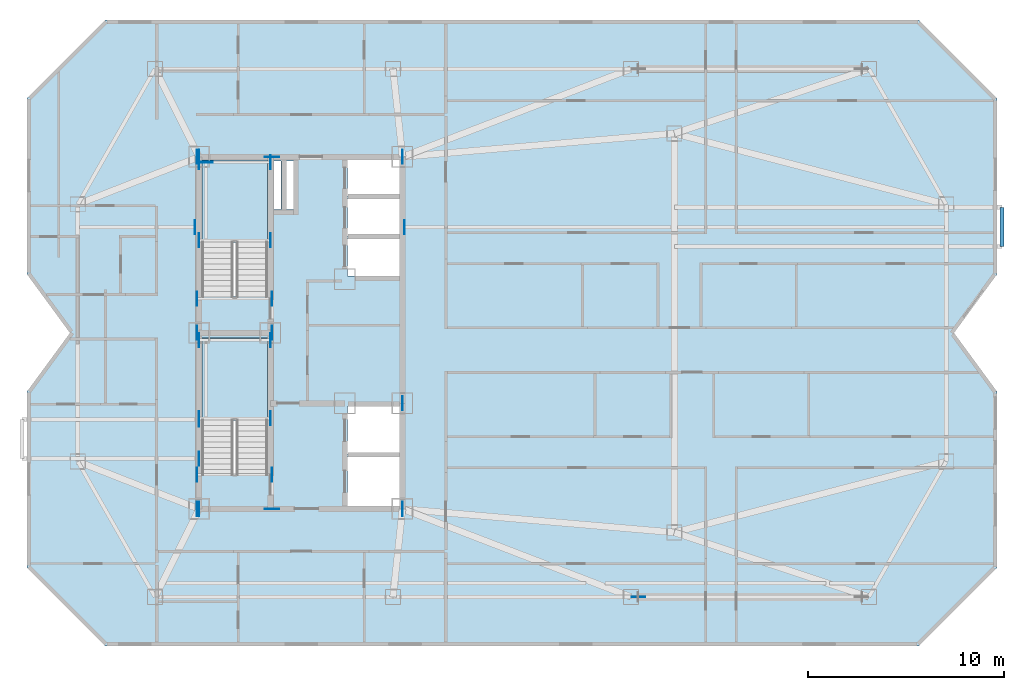
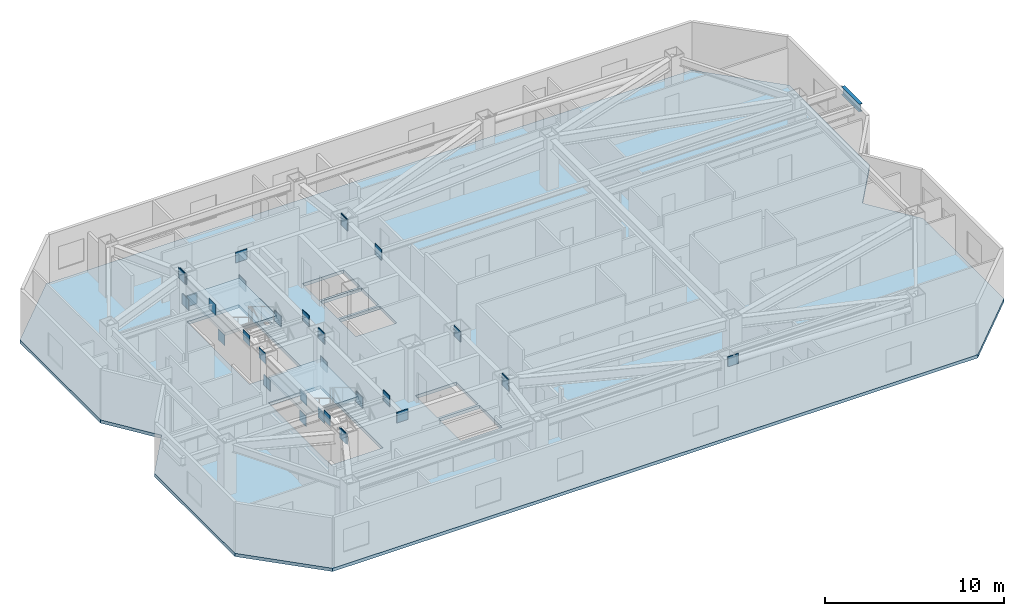
# One storey, part 2 of 9: 31 plates, 3 slabs, 1 beam, 2 elements without a shape of their own.
"""IFC4 building model written with IfcOpenShell, lengths in metres."""

from ifc_helpers import new_model, si_unit, direction, frame, origin, origin_2d, place, context, subcontext, project, spatial, polyline, rectangle, i_section, outline, extrude, material, layer, layer_set, material_profile, profile_set, type_object, element, aggregate, save


model = new_model("IFC4")

# Units and contexts
model_context = context("Model", 3, precision=1e-05, world=origin(), true_north=direction((0.0, 1.0)))
body_context = subcontext(model_context, "Body", "Model", "MODEL_VIEW")
ifc_project = project(units=[si_unit("LENGTHUNIT", "METRE"), si_unit("AREAUNIT", "SQUARE_METRE"), si_unit("VOLUMEUNIT", "CUBIC_METRE"), si_unit("PLANEANGLEUNIT", "RADIAN"), si_unit("MASSUNIT", "GRAM", prefix="KILO")], contexts=[model_context])

# Site, building, storey
site_placement = place(None, origin())
site = spatial("IfcSite", under=ifc_project, at=site_placement, CompositionType="ELEMENT")
building_placement = place(site_placement, origin())
building = spatial("IfcBuilding", under=site, at=building_placement, Name="Khamvora Tower", CompositionType="ELEMENT")
storey_placement = place(building_placement, frame((0.0, 0.0, 224.5)))
storey = spatial("IfcBuildingStorey", under=building, at=storey_placement, Name="L57", CompositionType="ELEMENT", Elevation=224.5)

# Beam
ifc_material_1 = material(Name="Steel S355", Category="steel")
ifc_material_profile = material_profile(ifc_material_1, i_section(OverallWidth=0.208984375, OverallDepth=0.532958984375, WebThickness=0.010009765625, FlangeThickness=0.01611328125, FilletRadius=0.013916015625, at=origin_2d()), Name="W530x92")
ifc_profile_set = profile_set([ifc_material_profile], Name="Steel S355")
beam_type = type_object("IfcBeamType", Name="BM-SP-W530x92", PredefinedType="SPANDREL", material=ifc_profile_set)
beam_placement = place(storey_placement, frame((70.050048828125, 32.425048828125, 2.962890625), z_axis=(0.0, 1.0, 0.0), x_axis=(-1.0, 0.0, 0.0)))
element("IfcBeam", 1, at=beam_placement, inside=storey, type_object=beam_type, Name="L57 external gallery edge header beam L58-EL2", PredefinedType="SPANDREL", context=body_context, shape_type="SweptSolid", body=[
    extrude(i_section(OverallWidth=0.208984375, OverallDepth=0.532958984375, WebThickness=0.010009765625, FlangeThickness=0.01611328125, FilletRadius=0.013916015625, at=origin_2d()), origin(), (0.0, 0.0, 1.0), 2.0),
])

# Plates
ifc_material_2 = material(Name="Steel S460", Category="steel")
ifc_layer_1 = layer(ifc_material_2, 0.034912109375)
ifc_layer_set_1 = layer_set([ifc_layer_1], Name="Steel S460")
plate_type_1 = type_object("IfcPlateType", Name="PL-EMB-35", PredefinedType="SHEET", material=ifc_layer_set_1)
for number, where, z_axis, x_axis, name in (
    (2, (29.0, 23.635009765625, 1.1337890625), (0.0, 0.0, 1.0), (1.0, 0.0, 0.0), "L57 core shear wall cast-in embed plate 1658"),
    (3, (32.64990234375, 23.635009765625, 1.1337890625), (0.0, 0.0, 1.0), (1.0, 0.0, 0.0), "L57 core shear wall cast-in embed plate 1659"),
    (4, (29.0, 27.6298828125, 1.1337890625), (0.0, 0.0, 1.0), (1.0, 0.0, 0.0), "L57 core shear wall cast-in embed plate 1660"),
    (5, (32.64990234375, 27.6298828125, 1.1337890625), (0.0, 0.0, 1.0), (1.0, 0.0, 0.0), "L57 core shear wall cast-in embed plate 1661"),
    (6, (29.0, 32.735107421875, 1.1337890625), (0.0, 0.0, 1.0), (1.0, 0.0, 0.0), "L57 core shear wall cast-in embed plate 1662"),
    (7, (32.64990234375, 32.735107421875, 1.1337890625), (0.0, 0.0, 1.0), (1.0, 0.0, 0.0), "L57 core shear wall cast-in embed plate 1663"),
    (8, (29.0, 36.72998046875, 1.1337890625), (0.0, 0.0, 1.0), (1.0, 0.0, 0.0), "L57 core shear wall cast-in embed plate 1664"),
    (9, (32.64990234375, 36.72998046875, 1.1337890625), (0.0, 0.0, 1.0), (1.0, 0.0, 0.0), "L57 core shear wall cast-in embed plate 1665"),
):
    element("IfcPlate", number, at=place(storey_placement, frame(where, z_axis=z_axis, x_axis=x_axis)), inside=storey, type_object=plate_type_1, Name=name, PredefinedType="SHEET", context=body_context, shape_type="SweptSolid", body=[
        extrude(rectangle(XDim=0.034912109375, YDim=0.719970703125, at=origin_2d()), origin(), (0.0, 0.0, 1.0), 0.719970703125),
    ])
plate_1_placement = place(storey_placement, frame((29.35009765625, 36.72998046875, 1.1337890625), z_axis=(0.0, 0.0, 1.0), x_axis=(1.0, 0.0, 0.0)))
element("IfcPlate", 10, at=plate_1_placement, inside=storey, type_object=plate_type_1, Name="L57 core shear wall cast-in embed plate 1666", PredefinedType="SHEET", context=body_context, shape_type="SweptSolid", body=[
    extrude(rectangle(XDim=0.719970703125, YDim=0.034912109375, at=origin_2d()), origin(), (0.0, 0.0, 1.0), 0.719970703125),
])
for number, where, z_axis, x_axis, name in (
    (11, (29.0, 19.0, 2.72314453125), (0.0, 0.0, 1.0), (1.0, 0.0, 0.0), "L57 core shear wall cast-in embed plate 1667"),
    (12, (39.39990234375, 19.0, 2.72314453125), (0.0, 0.0, 1.0), (1.0, 0.0, 0.0), "L57 core shear wall cast-in embed plate 1668"),
    (13, (29.0, 37.0, 2.72314453125), (0.0, 0.0, 1.0), (1.0, 0.0, 0.0), "L57 core shear wall cast-in embed plate 1669"),
    (14, (39.39990234375, 37.0, 2.72314453125), (0.0, 0.0, 1.0), (1.0, 0.0, 0.0), "L57 core shear wall cast-in embed plate 1670"),
    (15, (28.89990234375, 19.0, 2.80322265625), (0.0, 0.0, 1.0), (1.0, 0.0, 0.0), "L57 core shear wall cast-in embed plate 1671"),
    (16, (28.89990234375, 28.0, 2.80322265625), (0.0, 0.0, 1.0), (1.0, 0.0, 0.0), "L57 core shear wall cast-in embed plate 1672"),
    (17, (28.89990234375, 37.0, 2.80322265625), (0.0, 0.0, 1.0), (1.0, 0.0, 0.0), "L57 core shear wall cast-in embed plate 1673"),
):
    element("IfcPlate", number, at=place(storey_placement, frame(where, z_axis=z_axis, x_axis=x_axis)), inside=storey, type_object=plate_type_1, Name=name, PredefinedType="SHEET", context=body_context, shape_type="SweptSolid", body=[
        extrude(rectangle(XDim=0.034912109375, YDim=0.719970703125, at=origin_2d()), origin(), (0.0, 0.0, 1.0), 0.719970703125),
    ])
plate_2_placement = place(storey_placement, frame((32.72998046875, 19.0, 2.80322265625), z_axis=(0.0, 0.0, 1.0), x_axis=(1.0, 0.0, 0.0)))
element("IfcPlate", 18, at=plate_2_placement, inside=storey, type_object=plate_type_1, Name="L57 core shear wall cast-in embed plate 1674", PredefinedType="SHEET", context=body_context, shape_type="SweptSolid", body=[
    extrude(rectangle(XDim=0.719970703125, YDim=0.034912109375, at=origin_2d()), origin(), (0.0, 0.0, 1.0), 0.719970703125),
])
plate_3_placement = place(storey_placement, frame((32.72998046875, 28.0, 2.80322265625), z_axis=(0.0, 0.0, 1.0), x_axis=(1.0, 0.0, 0.0)))
element("IfcPlate", 19, at=plate_3_placement, inside=storey, type_object=plate_type_1, Name="L57 core shear wall cast-in embed plate 1675", PredefinedType="SHEET", context=body_context, shape_type="SweptSolid", body=[
    extrude(rectangle(XDim=0.034912109375, YDim=0.719970703125, at=origin_2d()), origin(), (0.0, 0.0, 1.0), 0.719970703125),
])
plate_4_placement = place(storey_placement, frame((32.72998046875, 37.0, 2.80322265625), z_axis=(0.0, 0.0, 1.0), x_axis=(1.0, 0.0, 0.0)))
element("IfcPlate", 20, at=plate_4_placement, inside=storey, type_object=plate_type_1, Name="L57 core shear wall cast-in embed plate 1676", PredefinedType="SHEET", context=body_context, shape_type="SweptSolid", body=[
    extrude(rectangle(XDim=0.719970703125, YDim=0.034912109375, at=origin_2d()), origin(), (0.0, 0.0, 1.0), 0.719970703125),
])
for number, where, z_axis, x_axis, name in (
    (21, (39.39990234375, 19.0, 2.80322265625), (0.0, 0.0, 1.0), (1.0, 0.0, 0.0), "L57 core shear wall cast-in embed plate 1677"),
    (22, (39.39990234375, 24.39990234375, 2.80322265625), (0.0, 0.0, 1.0), (1.0, 0.0, 0.0), "L57 core shear wall cast-in embed plate 1678"),
    (23, (39.39990234375, 37.0, 2.80322265625), (0.0, 0.0, 1.0), (1.0, 0.0, 0.0), "L57 core shear wall cast-in embed plate 1679"),
    (24, (28.89990234375, 20.75, 2.94384765625), (0.0, 0.0, 1.0), (1.0, 0.0, 0.0), "L57 core shear wall cast-in embed plate 1680"),
    (25, (32.72998046875, 20.75, 2.94384765625), (0.0, 0.0, 1.0), (1.0, 0.0, 0.0), "L57 core shear wall cast-in embed plate 1681"),
    (26, (28.89990234375, 29.75, 2.94384765625), (0.0, 0.0, 1.0), (1.0, 0.0, 0.0), "L57 core shear wall cast-in embed plate 1682"),
    (27, (32.72998046875, 29.75, 2.94384765625), (0.0, 0.0, 1.0), (1.0, 0.0, 0.0), "L57 core shear wall cast-in embed plate 1683"),
    (28, (29.0, 21.574951171875, 2.60302734375), (0.0, 0.0, 1.0), (1.0, 0.0, 0.0), "L57 core shear wall cast-in embed plate 1684"),
    (29, (29.0, 23.574951171875, 2.60302734375), (0.0, 0.0, 1.0), (1.0, 0.0, 0.0), "L57 core shear wall cast-in embed plate 1685"),
    (30, (28.800048828125, 33.39990234375, 2.89208984375), (0.0, 0.0, 1.0), (1.0, 0.0, 0.0), "L57 core shear wall cast-in embed plate 1686"),
    (31, (39.4990234375, 33.39990234375, 2.89208984375), (0.0, 0.0, 1.0), (1.0, 0.0, 0.0), "L57 core shear wall cast-in embed plate 1687"),
):
    element("IfcPlate", number, at=place(storey_placement, frame(where, z_axis=z_axis, x_axis=x_axis)), inside=storey, type_object=plate_type_1, Name=name, PredefinedType="SHEET", context=body_context, shape_type="SweptSolid", body=[
        extrude(rectangle(XDim=0.034912109375, YDim=0.719970703125, at=origin_2d()), origin(), (0.0, 0.0, 1.0), 0.719970703125),
    ])
ifc_layer_2 = layer(ifc_material_2, 0.0400390625)
ifc_layer_set_2 = layer_set([ifc_layer_2], Name="Steel S460")
plate_type_2 = type_object("IfcPlateType", Name="PLT-GUS-40", PredefinedType="SHEET", material=ifc_layer_set_2)
plate_5_placement = place(storey_placement, frame((51.462890625, 14.5, 2.80810546875), z_axis=(0.0, 0.0, 1.0), x_axis=(1.0, 0.0, 0.0)))
element("IfcPlate", 32, at=plate_5_placement, inside=storey, type_object=plate_type_2, Name="L57 brace connection node gusset plate 0382", PredefinedType="SHEET", context=body_context, shape_type="SweptSolid", body=[
    extrude(rectangle(XDim=0.679931640625, YDim=0.0400390625, at=origin_2d()), origin(), (0.0, 0.0, 1.0), 0.679931640625),
])

# Stair, slab
ifc_material_3 = material(Name="Concrete C40/50", Category="concrete")
stair_type_1 = type_object("IfcStairType", Name="STR-ST-01", PredefinedType="HALF_TURN_STAIR", material=ifc_material_3)
stair_1_placement = place(storey_placement, origin())
stair_1 = element("IfcStair", 33, at=stair_1_placement, inside=storey, type_object=stair_type_1, Name="L57 South Tower Exit Stair ST-01", PredefinedType="HALF_TURN_STAIR")
ifc_layer_3 = layer(ifc_material_3, 0.199951171875)
ifc_layer_set_3 = layer_set([ifc_layer_3], Name="Concrete C40/50")
slab_type_1 = type_object("IfcSlabType", Name="SLB-LND-200", PredefinedType="LANDING", material=ifc_layer_set_3)
slab_1_placement = place(storey_placement, frame((0.0, 0.0, 1.625)))
slab_1 = element("IfcSlab", 34, at=slab_1_placement, type_object=slab_type_1, Name="ST-01 landing 1", PredefinedType="LANDING", context=body_context, shape_type="SweptSolid", body=[
    extrude(outline(polyline([(32.5, 23.514892578125), (32.5, 27.75), (29.14990234375, 27.75), (29.14990234375, 23.514892578125), (32.5, 23.514892578125)])), origin(), (0.0, 0.0, 1.0), 0.199951171875),
])
aggregate(stair_1, [slab_1])

stair_type_2 = type_object("IfcStairType", Name="STR-ST-02", PredefinedType="HALF_TURN_STAIR", material=ifc_material_3)
stair_2_placement = place(storey_placement, origin())
stair_2 = element("IfcStair", 35, at=stair_2_placement, inside=storey, type_object=stair_type_2, Name="L57 North Tower Exit Stair ST-02", PredefinedType="HALF_TURN_STAIR")
slab_2_placement = place(storey_placement, frame((0.0, 0.0, 1.625)))
slab_2 = element("IfcSlab", 36, at=slab_2_placement, type_object=slab_type_1, Name="ST-02 landing 1", PredefinedType="LANDING", context=body_context, shape_type="SweptSolid", body=[
    extrude(outline(polyline([(32.5, 32.614990234375), (32.5, 36.85009765625), (29.14990234375, 36.85009765625), (29.14990234375, 32.614990234375), (32.5, 32.614990234375)])), origin(), (0.0, 0.0, 1.0), 0.199951171875),
])
aggregate(stair_2, [slab_2])

# Slab
ifc_material_4 = material(Name="Concrete C35/45", Category="concrete")
ifc_layer_4 = layer(ifc_material_4, 0.219970703125)
ifc_layer_set_4 = layer_set([ifc_layer_4], Name="Concrete C35/45")
slab_type_2 = type_object("IfcSlabType", Name="SLB-TYP-220", PredefinedType="FLOOR", material=ifc_layer_set_4)
slab_3_placement = place(storey_placement, frame((0.0, 0.0, -0.219970703125)))
element("IfcSlab", 37, at=slab_3_placement, inside=storey, type_object=slab_type_2, Name="L57 structural floor slab", PredefinedType="FLOOR", context=body_context, shape_type="SweptSolid", body=[
    extrude(outline(polyline([(24.199951171875, 12.0), (65.800048828125, 12.0), (69.800048828125, 16.0), (69.800048828125, 25.0), (67.60009765625, 28.0), (69.800048828125, 31.0), (69.800048828125, 40.0), (65.800048828125, 44.0), (24.199951171875, 44.0), (20.199951171875, 40.0), (20.199951171875, 31.0), (22.39990234375, 28.0), (20.199951171875, 25.0), (20.199951171875, 16.0), (24.199951171875, 12.0)]), holes=[polyline([(32.5, 20.760009765625), (32.5, 27.75), (29.14990234375, 27.75), (29.14990234375, 20.760009765625), (32.5, 20.760009765625)]), polyline([(32.5, 29.860107421875), (32.5, 36.85009765625), (29.14990234375, 36.85009765625), (29.14990234375, 29.860107421875), (32.5, 29.860107421875)]), polyline([(36.60009765625, 19.14990234375), (39.25, 19.14990234375), (39.25, 21.64990234375), (36.60009765625, 21.64990234375), (36.60009765625, 19.14990234375)]), polyline([(36.60009765625, 21.800048828125), (39.25, 21.800048828125), (39.25, 24.25), (36.60009765625, 24.25), (36.60009765625, 21.800048828125)]), polyline([(36.60009765625, 30.89990234375), (39.25, 30.89990234375), (39.25, 32.800048828125), (36.60009765625, 32.800048828125), (36.60009765625, 30.89990234375)]), polyline([(36.60009765625, 32.949951171875), (39.25, 32.949951171875), (39.25, 34.85009765625), (36.60009765625, 34.85009765625), (36.60009765625, 32.949951171875)]), polyline([(36.60009765625, 35.0), (39.25, 35.0), (39.25, 36.85009765625), (36.60009765625, 36.85009765625), (36.60009765625, 35.0)]), polyline([(32.800048828125, 34.300048828125), (33.199951171875, 34.300048828125), (33.199951171875, 36.800048828125), (32.800048828125, 36.800048828125), (32.800048828125, 34.300048828125)]), polyline([(33.47998046875, 34.300048828125), (33.820068359375, 34.300048828125), (33.820068359375, 36.800048828125), (33.47998046875, 36.800048828125), (33.47998046875, 34.300048828125)])]), origin(), (0.0, 0.0, 1.0), 0.219970703125),
])

save(model, "model.ifc")
